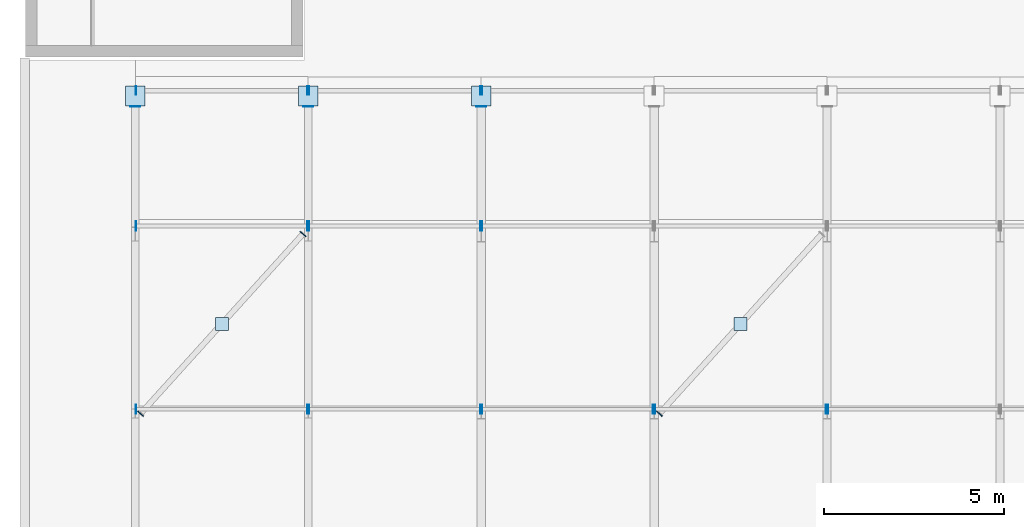
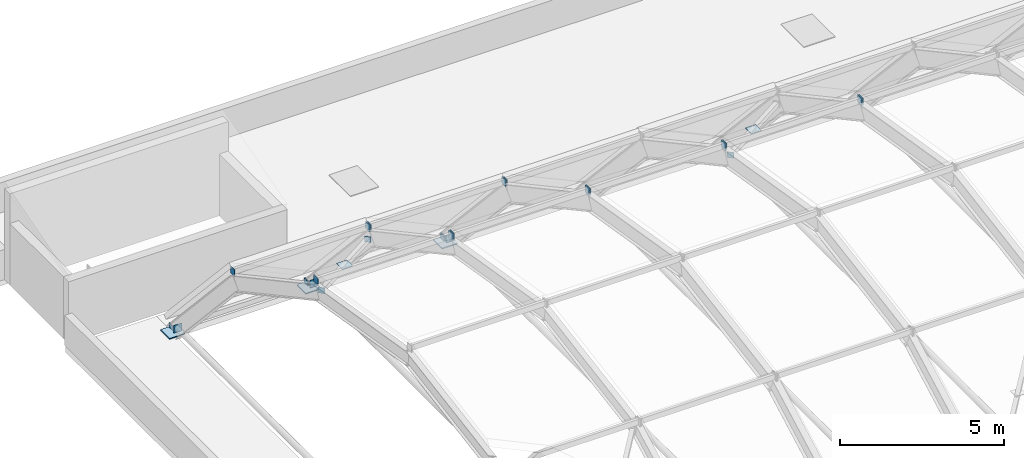
# One storey, part 5 of 10: 30 plates.
"""IFC4 building model written with IfcOpenShell, lengths in metres."""

import ifcopenshell
import ifcopenshell.guid

model = None  # the IFC model being written
_history = None  # IfcOwnerHistory: only IFC2X3 demands one
_inside = {}  # id of a spatial element -> (the spatial element, [elements in it])
_under = {}  # id of a project, library or spatial element -> (it, [spatial elements below it])
_declared = {}  # id of a project -> (the project, [libraries it declares])
_typed = {}  # id of a type object -> (the type object, [elements of that type])
_made_of = {}  # id of a material, layer set ... -> (it, [elements and type objects made of it])


def new_model(schema):
    """Start an empty IFC model of exactly this schema.

    Asked for "IFC4X3", IfcOpenShell would pick the latest addendum, in which some entities
    have other attributes; the version numbers below select the first issue.
    IFC2X3 requires an IfcOwnerHistory on every rooted entity: one is made here for all.
    """
    global model, _history
    if schema == "IFC4X3":
        model = ifcopenshell.file(schema_version=(4, 3, 0, 0))
    else:
        model = ifcopenshell.file(schema=schema)
    _inside.clear()
    _under.clear()
    _declared.clear()
    _typed.clear()
    _made_of.clear()
    _history = None
    if model.schema == "IFC2X3":
        org = make("IfcOrganization", Name="unknown")
        user = make(
            "IfcPersonAndOrganization",
            ThePerson=make("IfcPerson", FamilyName="unknown"),
            TheOrganization=org,
        )
        app = make(
            "IfcApplication",
            ApplicationDeveloper=org,
            Version="unknown",
            ApplicationFullName="unknown",
            ApplicationIdentifier="unknown",
        )
        _history = make(
            "IfcOwnerHistory",
            OwningUser=user,
            OwningApplication=app,
            ChangeAction="ADDED",
            CreationDate=0,
        )
    return model


def make(cls, **values):
    """One entity of the class cls with the attributes given. An attribute that is None is left unset."""
    return model.create_entity(
        cls, **{name: value for name, value in values.items() if value is not None}
    )


def rooted(cls, **values):
    """An entity with a GlobalId (a new one), such as an element, a storey or a relation."""
    return make(cls, GlobalId=ifcopenshell.guid.new(), OwnerHistory=_history, **values)


def si_unit(unit_type, name, prefix=None):
    """IfcSIUnit, for example si_unit("LENGTHUNIT", "METRE", prefix="MILLI")."""
    return make("IfcSIUnit", UnitType=unit_type, Prefix=prefix, Name=name)


def assignment(units):
    """IfcUnitAssignment: the units of a project."""
    return None if units is None else make("IfcUnitAssignment", Units=units)


def point(xyz):
    """IfcCartesianPoint."""
    return None if xyz is None else make("IfcCartesianPoint", Coordinates=xyz)


def direction(xyz):
    """IfcDirection."""
    return None if xyz is None else make("IfcDirection", DirectionRatios=xyz)


def frame(location, z_axis=None, x_axis=None):
    """IfcAxis2Placement3D, a coordinate frame: its origin and axes. An axis left out is left unset."""
    return make(
        "IfcAxis2Placement3D",
        Location=point(location),
        Axis=direction(z_axis),
        RefDirection=direction(x_axis),
    )


def frame_2d(location, x_axis=None):
    """IfcAxis2Placement2D, a coordinate frame in the plane: its origin and x axis."""
    return make(
        "IfcAxis2Placement2D", Location=point(location), RefDirection=direction(x_axis)
    )


def origin():
    """The frame at (0, 0, 0) with its axes left unset."""
    return frame((0.0, 0.0, 0.0))


def origin_2d():
    """The frame at (0, 0) in the plane with its x axis left unset."""
    return frame_2d((0.0, 0.0))


def place(relative_to, where):
    """IfcLocalPlacement: puts the frame where relative to a parent placement (None: the world)."""
    return make(
        "IfcLocalPlacement", PlacementRelTo=relative_to, RelativePlacement=where
    )


def context(
    kind, dimensions, precision=None, world=None, true_north=None, identifier=None
):
    """IfcGeometricRepresentationContext, for example the 3D "Model" context."""
    return make(
        "IfcGeometricRepresentationContext",
        ContextIdentifier=identifier,
        ContextType=kind,
        CoordinateSpaceDimension=dimensions,
        Precision=precision,
        WorldCoordinateSystem=world,
        TrueNorth=true_north,
    )


def subcontext(parent, identifier, kind, view, scale=None):
    """IfcGeometricRepresentationSubContext, for example "Body" below "Model"."""
    return make(
        "IfcGeometricRepresentationSubContext",
        ContextIdentifier=identifier,
        ContextType=kind,
        ParentContext=parent,
        TargetScale=scale,
        TargetView=view,
    )


def project(units=None, contexts=None):
    """IfcProject with its units and contexts."""
    return rooted(
        "IfcProject",
        Name="project",
        RepresentationContexts=contexts,
        UnitsInContext=assignment(units),
    )


def spatial(cls, under=None, at=None, **own):
    """A site, building, storey or space (cls), placed at a placement, below another one or the project."""
    s = rooted(cls, ObjectPlacement=at, **own)
    if under is not None:
        _under.setdefault(under.id(), (under, []))[1].append(s)
    return s


def profile(cls, at=None, kind="AREA", **sizes):
    """A parametric profile (cls). Its sizes go by their IFC names, for example OverallWidth=200.0."""
    return make(cls, ProfileType=kind, Position=at, **sizes)


def rectangle(**sizes):
    """IfcRectangleProfileDef."""
    return profile("IfcRectangleProfileDef", **sizes)


def extrude(swept, where, along, depth):
    """IfcExtrudedAreaSolid: the profile swept, set in the frame where, extruded along a direction by depth."""
    return make(
        "IfcExtrudedAreaSolid",
        SweptArea=swept,
        Position=where,
        ExtrudedDirection=direction(along),
        Depth=depth,
    )


def shape(context_of_items, identifier, shape_type, items):
    """IfcShapeRepresentation: the items that make up one representation, for example the "Body"."""
    return make(
        "IfcShapeRepresentation",
        ContextOfItems=context_of_items,
        RepresentationIdentifier=identifier,
        RepresentationType=shape_type,
        Items=items,
    )


def material(Name=None, Category=None):
    """IfcMaterial."""
    return make("IfcMaterial", Name=Name, Category=Category)


def layer(
    of_material, thickness, ventilated=None, Name=None, Category=None, Priority=None
):
    """IfcMaterialLayer: one layer of a wall or slab, of a material (None: an air gap)."""
    return make(
        "IfcMaterialLayer",
        Material=of_material,
        LayerThickness=thickness,
        IsVentilated=ventilated,
        Name=Name,
        Category=Category,
        Priority=Priority,
    )


def layer_set(layers, Name=None):
    """IfcMaterialLayerSet."""
    return make("IfcMaterialLayerSet", MaterialLayers=layers, LayerSetName=Name)


def made_of(thing, what):
    """Note that an element or type object is made of a material, layer set ...; save() writes the relation."""
    if what is not None:
        _made_of.setdefault(what.id(), (what, []))[1].append(thing)
    return thing


def type_object(cls, material=None, **own):
    """A type object (cls), such as IfcWallType, which elements share."""
    return made_of(rooted(cls, **own), material)


def element(
    cls,
    number,
    at=None,
    inside=None,
    cuts=None,
    type_object=None,
    material=None,
    context=None,
    identifier="Body",
    shape_type=None,
    held_by="IfcProductDefinitionShape",
    body=None,
    shapes=None,
    **own,
):
    """One element of the class cls, such as IfcWall. Its Tag is "e" and its number.

    at: its placement. inside: the storey or other place that contains it. cuts: it is an
    opening in that element (IfcRelVoidsElement). A single representation is given by context,
    identifier, shape_type and body (its items); several are given by shapes. held_by: the class
    of the entity that holds the representations. save() writes the other relations.
    """
    e = rooted(cls, Tag="e%d" % number, ObjectPlacement=at, **own)
    if body is not None:
        shapes = [shape(context, identifier, shape_type, body)]
    if shapes is not None:
        e.Representation = make(held_by, Representations=shapes)
    if inside is not None:
        _inside.setdefault(inside.id(), (inside, []))[1].append(e)
    if cuts is not None:
        rooted(
            "IfcRelVoidsElement", RelatingBuildingElement=cuts, RelatedOpeningElement=e
        )
    if type_object is not None:
        _typed.setdefault(type_object.id(), (type_object, []))[1].append(e)
    return made_of(e, material)


def aggregate(whole, parts):
    """IfcRelAggregates: a whole, such as a stair, and the parts it consists of."""
    return rooted("IfcRelAggregates", RelatingObject=whole, RelatedObjects=parts)


def save(model, path):
    """Write the relations noted so far, then the file.

    IfcRelAggregates (storeys below a building ...), IfcRelContainedInSpatialStructure (elements
    in a storey), IfcRelDefinesByType, IfcRelAssociatesMaterial and IfcRelDeclares: one each for
    every whole, place, type object, material and project.
    """
    for whole, parts in _under.values():
        aggregate(whole, parts)
    for where, things in _inside.values():
        rooted(
            "IfcRelContainedInSpatialStructure",
            RelatedElements=things,
            RelatingStructure=where,
        )
    for kind, things in _typed.values():
        rooted("IfcRelDefinesByType", RelatedObjects=things, RelatingType=kind)
    for what, things in _made_of.values():
        rooted("IfcRelAssociatesMaterial", RelatedObjects=things, RelatingMaterial=what)
    for by, libraries in _declared.values():
        rooted("IfcRelDeclares", RelatingContext=by, RelatedDefinitions=libraries)
    model.write(path)


model = new_model("IFC4")

# Units and contexts
model_context = context("Model", 3, precision=1e-05, world=origin(), true_north=direction((0.0, 1.0)))
body_context = subcontext(model_context, "Body", "Model", "MODEL_VIEW")
ifc_project = project(units=[si_unit("LENGTHUNIT", "METRE"), si_unit("AREAUNIT", "SQUARE_METRE"), si_unit("VOLUMEUNIT", "CUBIC_METRE"), si_unit("PLANEANGLEUNIT", "RADIAN"), si_unit("MASSUNIT", "GRAM", prefix="KILO")], contexts=[model_context])

# Site, building, storey
site_placement = place(None, origin())
site = spatial("IfcSite", under=ifc_project, at=site_placement, CompositionType="ELEMENT")
building_placement = place(site_placement, origin())
building = spatial("IfcBuilding", under=site, at=building_placement, Name="Zantavel Square City Hall", CompositionType="ELEMENT")
storey_placement = place(building_placement, frame((0.0, 0.0, 28.5)))
storey = spatial("IfcBuildingStorey", under=building, at=storey_placement, Name="RF", CompositionType="ELEMENT", Elevation=28.5)

# Plates
ifc_material = material(Name="Steel ASTM A572 Grade 50", Category="steel")
ifc_layer_1 = layer(ifc_material, 0.01806640625, Name="Steel ASTM A572 Grade 50")
ifc_layer_set_1 = layer_set([ifc_layer_1], Name="Steel ASTM A572 Grade 50")
plate_type_1 = type_object("IfcPlateType", Name="CHS 219 End Cap Plate 18mm", PredefinedType="SHEET", material=ifc_layer_set_1)
for number, where, z_axis, x_axis, name in (
    (1, (67.199951171875, 59.7060546875, 0.212646484375), (0.0, 0.0, 1.0), (0.0, 1.0, 0.0), "Barrel Vault Rib 1 Tension Tie End Cap 2"),
    (2, (72.0, 59.7060546875, 0.212646484375), (0.0, 0.0, 1.0), (0.0, 1.0, 0.0), "Barrel Vault Rib 2 Tension Tie End Cap 2"),
    (3, (76.800048828125, 59.7060546875, 0.212646484375), (0.0, 0.0, 1.0), (0.0, 1.0, 0.0), "Barrel Vault Rib 3 Tension Tie End Cap 2"),
):
    element("IfcPlate", number, at=place(storey_placement, frame(where, z_axis=z_axis, x_axis=x_axis)), inside=storey, type_object=plate_type_1, Name=name, PredefinedType="SHEET", context=body_context, shape_type="SweptSolid", body=[
        extrude(rectangle(XDim=0.01806640625, YDim=0.27490234375, at=origin_2d()), origin(), (0.0, 0.0, 1.0), 0.27490234375),
    ])
ifc_layer_2 = layer(ifc_material, 0.01611328125, Name="Steel ASTM A572 Grade 50")
ifc_layer_set_2 = layer_set([ifc_layer_2], Name="Steel ASTM A572 Grade 50")
plate_type_2 = type_object("IfcPlateType", Name="HSS 152x152 End Cap Plate 16mm", PredefinedType="SHEET", material=ifc_layer_set_2)
for number, where, z_axis, x_axis, name in (
    (4, (67.34619140625, 51.182373046875, 6.764404296875), (0.0, 0.0, 1.0), (0.670437637843, 0.741965884501, 0.0), "Vault Wind Brace B1-C5 End Cap 1"),
    (5, (71.853759765625, 56.170654296875, 4.062255859375), (0.0, 0.0, 1.0), (0.670437637843, 0.741965884501, 0.0), "Vault Wind Brace B1-C5 End Cap 2"),
    (6, (81.746337890625, 51.182373046875, 6.764404296875), (0.0, 0.0, 1.0), (0.670437637843, 0.741965884501, 0.0), "Vault Wind Brace B4-C5 End Cap 1"),
):
    element("IfcPlate", number, at=place(storey_placement, frame(where, z_axis=z_axis, x_axis=x_axis)), inside=storey, type_object=plate_type_2, Name=name, PredefinedType="SHEET", context=body_context, shape_type="SweptSolid", body=[
        extrude(rectangle(XDim=0.02392578125, YDim=0.2099609375, at=origin_2d()), origin(), (0.0, 0.0, 1.0), 0.2099609375),
    ])
ifc_layer_3 = layer(ifc_material, 0.01611328125, Name="Steel ASTM A572 Grade 50")
ifc_layer_set_3 = layer_set([ifc_layer_3], Name="Steel ASTM A572 Grade 50")
plate_type_3 = type_object("IfcPlateType", Name="HSS 178x127 End Cap Plate 16mm", PredefinedType="SHEET", material=ifc_layer_set_3)
for number, where, z_axis, x_axis, name in (
    (7, (67.22412109375, 60.14990234375, -0.0283203125), (0.0, 0.0, 1.0), (1.0, 0.0, 0.0), "Vault Bay 1 Purlin 7 End Cap 1"),
    (8, (71.97607421875, 60.14990234375, -0.0283203125), (0.0, 0.0, 1.0), (1.0, 0.0, 0.0), "Vault Bay 1 Purlin 7 End Cap 2"),
    (9, (72.02392578125, 60.14990234375, -0.0283203125), (0.0, 0.0, 1.0), (1.0, 0.0, 0.0), "Vault Bay 2 Purlin 7 End Cap 1"),
    (10, (76.77587890625, 60.14990234375, -0.0283203125), (0.0, 0.0, 1.0), (1.0, 0.0, 0.0), "Vault Bay 2 Purlin 7 End Cap 2"),
    (11, (76.823974609375, 60.14990234375, -0.0283203125), (0.0, 0.0, 1.0), (1.0, 0.0, 0.0), "Vault Bay 3 Purlin 7 End Cap 1"),
):
    element("IfcPlate", number, at=place(storey_placement, frame(where, z_axis=z_axis, x_axis=x_axis)), inside=storey, type_object=plate_type_3, Name=name, PredefinedType="SHEET", context=body_context, shape_type="SweptSolid", body=[
        extrude(rectangle(XDim=0.01611328125, YDim=0.235107421875, at=origin_2d()), origin(), (0.0, 0.0, 1.0), 0.235107421875),
    ])
ifc_layer_4 = layer(ifc_material, 0.01611328125, Name="Steel ASTM A572 Grade 50")
ifc_layer_set_4 = layer_set([ifc_layer_4], Name="Steel ASTM A572 Grade 50")
plate_type_4 = type_object("IfcPlateType", Name="HSS 203x102 End Cap Plate 16mm", PredefinedType="SHEET", material=ifc_layer_set_4)
for number, where, z_axis, x_axis, name in (
    (12, (67.22412109375, 51.305908203125, 7.08447265625), (0.0, 0.0, 1.0), (1.0, 0.0, 0.0), "Vault Bay 1 Purlin 5 End Cap 1"),
    (13, (71.97607421875, 51.305908203125, 7.08447265625), (0.0, 0.0, 1.0), (1.0, 0.0, 0.0), "Vault Bay 1 Purlin 5 End Cap 2"),
    (14, (67.22412109375, 56.392578125, 4.32958984375), (0.0, 0.0, 1.0), (1.0, 0.0, 0.0), "Vault Bay 1 Purlin 6 End Cap 1"),
    (15, (71.97607421875, 56.392578125, 4.32958984375), (0.0, 0.0, 1.0), (1.0, 0.0, 0.0), "Vault Bay 1 Purlin 6 End Cap 2"),
    (16, (72.02392578125, 51.305908203125, 7.08447265625), (0.0, 0.0, 1.0), (1.0, 0.0, 0.0), "Vault Bay 2 Purlin 5 End Cap 1"),
    (17, (76.77587890625, 51.305908203125, 7.08447265625), (0.0, 0.0, 1.0), (1.0, 0.0, 0.0), "Vault Bay 2 Purlin 5 End Cap 2"),
    (18, (72.02392578125, 56.392578125, 4.32958984375), (0.0, 0.0, 1.0), (1.0, 0.0, 0.0), "Vault Bay 2 Purlin 6 End Cap 1"),
    (19, (76.77587890625, 56.392578125, 4.32958984375), (0.0, 0.0, 1.0), (1.0, 0.0, 0.0), "Vault Bay 2 Purlin 6 End Cap 2"),
    (20, (76.823974609375, 51.305908203125, 7.08447265625), (0.0, 0.0, 1.0), (1.0, 0.0, 0.0), "Vault Bay 3 Purlin 5 End Cap 1"),
    (21, (81.575927734375, 51.305908203125, 7.08447265625), (0.0, 0.0, 1.0), (1.0, 0.0, 0.0), "Vault Bay 3 Purlin 5 End Cap 2"),
    (22, (76.823974609375, 56.392578125, 4.32958984375), (0.0, 0.0, 1.0), (1.0, 0.0, 0.0), "Vault Bay 3 Purlin 6 End Cap 1"),
    (23, (81.6240234375, 51.305908203125, 7.08447265625), (0.0, 0.0, 1.0), (1.0, 0.0, 0.0), "Vault Bay 4 Purlin 5 End Cap 1"),
    (24, (86.3759765625, 51.305908203125, 7.08447265625), (0.0, 0.0, 1.0), (1.0, 0.0, 0.0), "Vault Bay 4 Purlin 5 End Cap 2"),
    (25, (86.424072265625, 51.305908203125, 7.08447265625), (0.0, 0.0, 1.0), (1.0, 0.0, 0.0), "Vault Bay 5 Purlin 5 End Cap 1"),
):
    element("IfcPlate", number, at=place(storey_placement, frame(where, z_axis=z_axis, x_axis=x_axis)), inside=storey, type_object=plate_type_4, Name=name, PredefinedType="SHEET", context=body_context, shape_type="SweptSolid", body=[
        extrude(rectangle(XDim=0.01611328125, YDim=0.260009765625, at=origin_2d()), origin(), (0.0, 0.0, 1.0), 0.260009765625),
    ])
ifc_layer_5 = layer(ifc_material, 0.0400390625, Name="Steel ASTM A572 Grade 50")
ifc_layer_set_5 = layer_set([ifc_layer_5], Name="Steel ASTM A572 Grade 50")
plate_type_5 = type_object("IfcPlateType", Name="Vault Arch Base Shoe Plate 550x550x40", PredefinedType="SHEET", material=ifc_layer_set_5)
for number, where, z_axis, x_axis, name in (
    (26, (67.199951171875, 60.0, 0.0), (0.0, 0.0, 1.0), (1.0, 0.0, 0.0), "Barrel Vault Rib 1 Base Shoe Plate 2"),
    (27, (72.0, 60.0, 0.0), (0.0, 0.0, 1.0), (1.0, 0.0, 0.0), "Barrel Vault Rib 2 Base Shoe Plate 2"),
    (28, (76.800048828125, 60.0, 0.0), (0.0, 0.0, 1.0), (1.0, 0.0, 0.0), "Barrel Vault Rib 3 Base Shoe Plate 2"),
):
    element("IfcPlate", number, at=place(storey_placement, frame(where, z_axis=z_axis, x_axis=x_axis)), inside=storey, type_object=plate_type_5, Name=name, PredefinedType="SHEET", context=body_context, shape_type="SweptSolid", body=[
        extrude(rectangle(XDim=0.550048828125, YDim=0.550048828125, at=origin_2d()), origin(), (0.0, 0.0, 1.0), 0.0400390625),
    ])
ifc_layer_6 = layer(ifc_material, 0.02392578125, Name="Steel ASTM A572 Grade 50")
ifc_layer_set_6 = layer_set([ifc_layer_6], Name="Steel ASTM A572 Grade 50")
plate_type_6 = type_object("IfcPlateType", Name="Vault Brace Gusset Plate 360x360x24", PredefinedType="USERDEFINED", material=ifc_layer_set_6)
for number, where, z_axis, x_axis, name in (
    (29, (69.60009765625, 53.676513671875, 5.50634765625), (0.0, 0.0, 1.0), (1.0, 0.0, 0.0), "Vault Brace Gusset B1-C5"),
    (30, (84.0, 53.676513671875, 5.50634765625), (0.0, 0.0, 1.0), (1.0, 0.0, 0.0), "Vault Brace Gusset B4-C5"),
):
    element("IfcPlate", number, at=place(storey_placement, frame(where, z_axis=z_axis, x_axis=x_axis)), inside=storey, type_object=plate_type_6, Name=name, ObjectType="GUSSET PLATE", PredefinedType="USERDEFINED", context=body_context, shape_type="SweptSolid", body=[
        extrude(rectangle(XDim=0.360107421875, YDim=0.360107421875, at=origin_2d()), origin(), (0.0, 0.0, 1.0), 0.02392578125),
    ])

save(model, "model.ifc")
